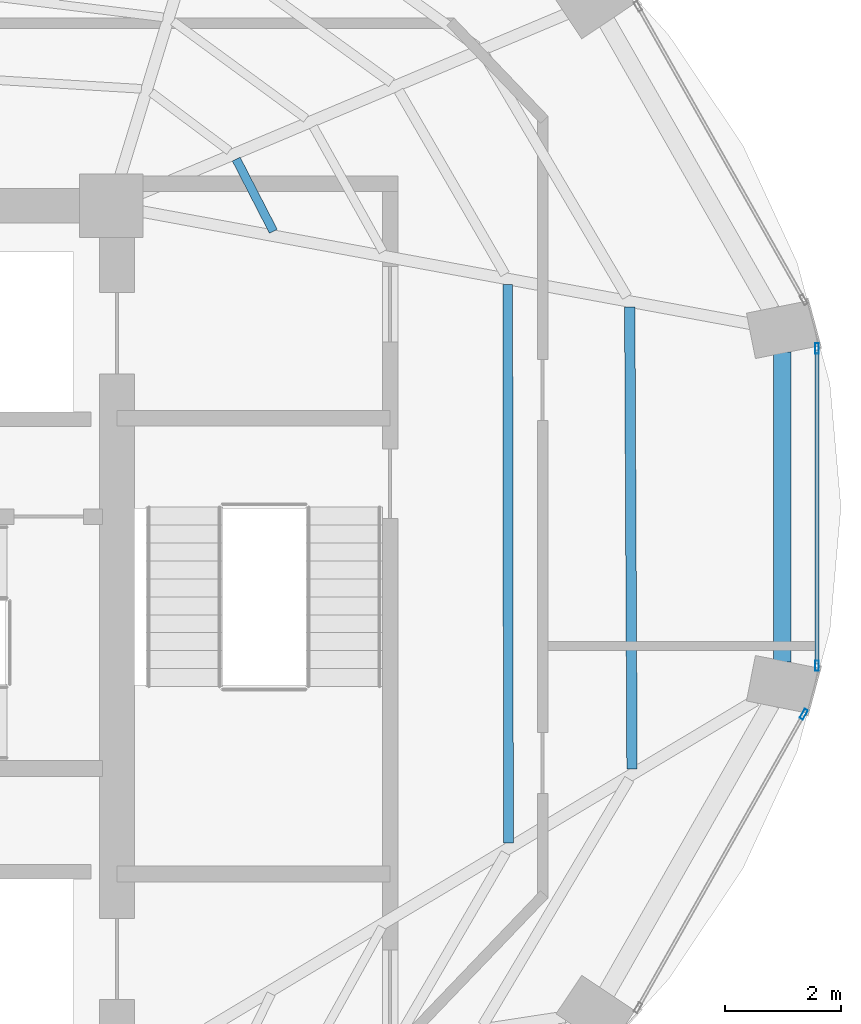
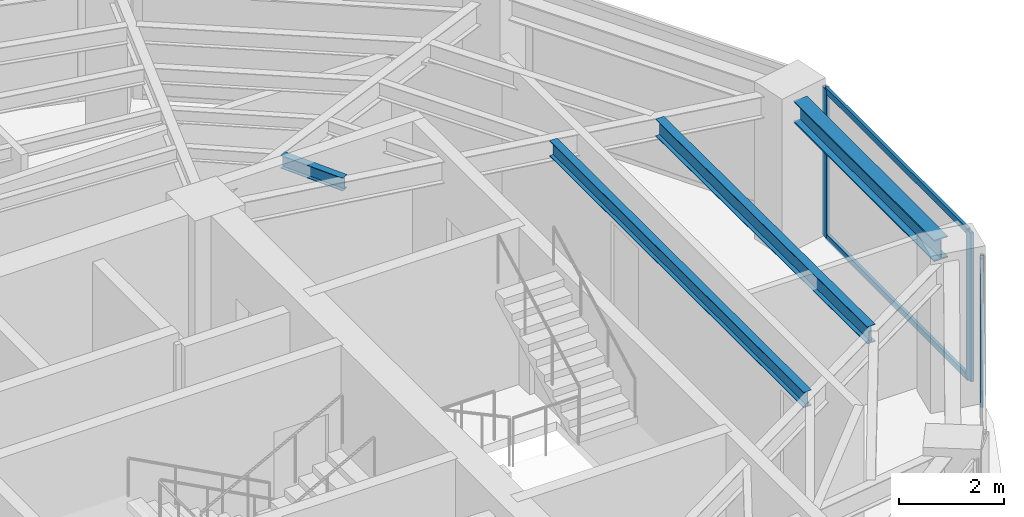
# One storey, part 14 of 23: 5 members, 4 beams, 2 elements without a shape of their own.
"""IFC4 building model written with IfcOpenShell, lengths in metres."""

from ifc_helpers import new_model, si_unit, direction, frame, origin, origin_2d, place, context, subcontext, project, spatial, hollow_rectangle, i_section, extrude, material, layer, layer_set, material_profile, profile_set, type_object, element, aggregate, save


model = new_model("IFC4")

# Units and contexts
model_context = context("Model", 3, precision=1e-05, world=origin(), true_north=direction((0.0, 1.0)))
body_context = subcontext(model_context, "Body", "Model", "MODEL_VIEW")
ifc_project = project(units=[si_unit("LENGTHUNIT", "METRE"), si_unit("AREAUNIT", "SQUARE_METRE"), si_unit("VOLUMEUNIT", "CUBIC_METRE"), si_unit("PLANEANGLEUNIT", "RADIAN"), si_unit("MASSUNIT", "GRAM", prefix="KILO")], contexts=[model_context])

# Site, building, storey
site_placement = place(None, origin())
site = spatial("IfcSite", under=ifc_project, at=site_placement, CompositionType="ELEMENT")
building_placement = place(site_placement, origin())
building = spatial("IfcBuilding", under=site, at=building_placement, Name="Lazwardi Medical Tower", CompositionType="ELEMENT")
storey_placement = place(building_placement, frame((0.0, 0.0, 209.424072265625)))
storey = spatial("IfcBuildingStorey", under=building, at=storey_placement, Name="L54", CompositionType="ELEMENT", Elevation=209.424072265625)

# Beams
ifc_material_1 = material(Name="Steel S355", Category="steel")
ifc_material_profile_1 = material_profile(ifc_material_1, i_section(OverallWidth=0.300048828125, OverallDepth=0.5, WebThickness=0.014404296875, FlangeThickness=0.028076171875, at=origin_2d()), Name="HEB 500")
ifc_profile_set_1 = profile_set([ifc_material_profile_1], Name="Steel S355")
beam_type_1 = type_object("IfcBeamType", Name="BM-RB-Z4", PredefinedType="BEAM", material=ifc_profile_set_1)
beam_1_placement = place(storey_placement, frame((57.18505859375, 27.72705078125, 3.197998046875), z_axis=(0.0, 1.0, 0.0), x_axis=(-1.0, 0.0, 0.0)))
element("IfcBeam", 1, at=beam_1_placement, inside=storey, type_object=beam_type_1, Name="Ring beam RB-05 B04 L54", PredefinedType="BEAM", context=body_context, shape_type="SweptSolid", body=[
    extrude(i_section(OverallWidth=0.300048828125, OverallDepth=0.5, WebThickness=0.014404296875, FlangeThickness=0.028076171875, at=origin_2d()), origin(), (0.0, 0.0, 1.0), 5.345947265625),
])
ifc_material_profile_2 = material_profile(ifc_material_1, i_section(OverallWidth=0.179931640625, OverallDepth=0.39990234375, WebThickness=0.008544921875, FlangeThickness=0.013427734375, at=origin_2d()), Name="IPE 400")
ifc_profile_set_2 = profile_set([ifc_material_profile_2], Name="Steel S355")
beam_type_2 = type_object("IfcBeamType", Name="BM-SJ-01", PredefinedType="JOIST", material=ifc_profile_set_2)
beam_2_placement = place(storey_placement, frame((54.592041015625, 25.879638671875, 3.248046875), z_axis=(-0.004929366644, 0.999987850598, 0.0), x_axis=(-0.999987850598, -0.004929366644, 0.0)))
element("IfcBeam", 2, at=beam_2_placement, inside=storey, type_object=beam_type_2, Name="Secondary joist SJ-01 R1 B04 L54", PredefinedType="JOIST", context=body_context, shape_type="SweptSolid", body=[
    extrude(i_section(OverallWidth=0.179931640625, OverallDepth=0.39990234375, WebThickness=0.008544921875, FlangeThickness=0.013427734375, at=origin_2d()), origin(), (0.0, 0.0, 1.0), 7.973876953125),
])
ifc_material_profile_3 = material_profile(ifc_material_1, i_section(OverallWidth=0.169921875, OverallDepth=0.360107421875, WebThickness=0.008056640625, FlangeThickness=0.0126953125, at=origin_2d()), Name="IPE 360")
ifc_profile_set_3 = profile_set([ifc_material_profile_3], Name="Steel S355")
beam_type_3 = type_object("IfcBeamType", Name="BM-SJ-02", PredefinedType="JOIST", material=ifc_profile_set_3)
beam_3_placement = place(storey_placement, frame((52.458984375, 24.602294921875, 3.267822265625), z_axis=(-0.001367606673, 0.999999064826, 0.0), x_axis=(-0.999999064826, -0.001367606673, 0.0)))
element("IfcBeam", 3, at=beam_3_placement, inside=storey, type_object=beam_type_3, Name="Secondary joist SJ-02 R2 B04 L54", PredefinedType="JOIST", context=body_context, shape_type="SweptSolid", body=[
    extrude(i_section(OverallWidth=0.169921875, OverallDepth=0.360107421875, WebThickness=0.008056640625, FlangeThickness=0.0126953125, at=origin_2d()), origin(), (0.0, 0.0, 1.0), 9.639892578125),
])
ifc_material_profile_4 = material_profile(ifc_material_1, i_section(OverallWidth=0.14990234375, OverallDepth=0.300048828125, WebThickness=0.007080078125, FlangeThickness=0.0107421875, at=origin_2d()), Name="IPE 300")
ifc_profile_set_4 = profile_set([ifc_material_profile_4], Name="Steel S355")
beam_type_4 = type_object("IfcBeamType", Name="BM-SJ-03", PredefinedType="JOIST", material=ifc_profile_set_4)
beam_4_placement = place(storey_placement, frame((48.39990234375, 35.159912109375, 3.2978515625), z_axis=(-0.457285056668, 0.889320176848, 0.0), x_axis=(-0.889320176848, -0.457285056668, 0.0)))
element("IfcBeam", 4, at=beam_4_placement, inside=storey, type_object=beam_type_4, Name="Secondary joist SJ-03 R4 B05 L54", PredefinedType="JOIST", context=body_context, shape_type="SweptSolid", body=[
    extrude(i_section(OverallWidth=0.14990234375, OverallDepth=0.300048828125, WebThickness=0.007080078125, FlangeThickness=0.0107421875, at=origin_2d()), origin(), (0.0, 0.0, 1.0), 1.402099609375),
])

# Curtain wall, member
ifc_material_2 = material(Name="Anodised bronze aluminium and solar control glazing", Category="aluminium")
ifc_layer = layer(ifc_material_2, 0.18994140625)
ifc_layer_set = layer_set([ifc_layer], Name="Anodised bronze aluminium and solar control glazing")
curtain_wall_type = type_object("IfcCurtainWallType", Name="CW-SYS-04", PredefinedType="NOTDEFINED", material=ifc_layer_set)
curtain_wall_1_placement = place(storey_placement, origin())
curtain_wall_1 = element("IfcCurtainWall", 5, at=curtain_wall_1_placement, inside=storey, type_object=curtain_wall_type, Name="L54 Unitised bronze curtain wall CW-04", PredefinedType="NOTDEFINED")
ifc_material_3 = material(Name="Anodised bronze aluminium", Category="aluminium")
ifc_material_profile_5 = material_profile(ifc_material_3, hollow_rectangle(XDim=0.06494140625, YDim=0.179931640625, WallThickness=0.00390625, at=origin_2d()), Name="ALU-MULLION 180x65x4")
ifc_profile_set_5 = profile_set([ifc_material_profile_5], Name="Anodised bronze aluminium")
member_type_1 = type_object("IfcMemberType", Name="CW-MUL-03", PredefinedType="MULLION", material=ifc_profile_set_5)
member_1_placement = place(storey_placement, frame((57.557373046875, 26.82177734375, 0.0), z_axis=(0.0, 0.0, 1.0), x_axis=(-0.870651436011, 0.491900474661, 0.0)))
member_1 = element("IfcMember", 6, at=member_1_placement, type_object=member_type_1, Name="CW-04 mullion 2", PredefinedType="MULLION", context=body_context, shape_type="SweptSolid", body=[
    extrude(hollow_rectangle(XDim=0.06494140625, YDim=0.179931640625, WallThickness=0.00390625, at=origin_2d()), origin(), (0.0, 0.0, 1.0), 3.447998046875),
])
aggregate(curtain_wall_1, [member_1])

# Curtain wall, members
curtain_wall_2_placement = place(storey_placement, origin())
curtain_wall_2 = element("IfcCurtainWall", 7, at=curtain_wall_2_placement, inside=storey, type_object=curtain_wall_type, Name="L54 Unitised bronze curtain wall CW-04", PredefinedType="NOTDEFINED")
member_2_placement = place(storey_placement, frame((57.7841796875, 27.659423828125, 0.0), z_axis=(0.0, 0.0, 1.0), x_axis=(-1.0, 0.0, 0.0)))
member_2 = element("IfcMember", 8, at=member_2_placement, type_object=member_type_1, Name="CW-04 mullion 1", PredefinedType="MULLION", context=body_context, shape_type="SweptSolid", body=[
    extrude(hollow_rectangle(XDim=0.06494140625, YDim=0.179931640625, WallThickness=0.00390625, at=origin_2d()), origin(), (0.0, 0.0, 1.0), 3.447998046875),
])
member_3_placement = place(storey_placement, frame((57.7841796875, 33.140380859375, 0.0), z_axis=(0.0, 0.0, 1.0), x_axis=(-1.0, 0.0, 0.0)))
member_3 = element("IfcMember", 9, at=member_3_placement, type_object=member_type_1, Name="CW-04 mullion 2", PredefinedType="MULLION", context=body_context, shape_type="SweptSolid", body=[
    extrude(hollow_rectangle(XDim=0.06494140625, YDim=0.179931640625, WallThickness=0.00390625, at=origin_2d()), origin(), (0.0, 0.0, 1.0), 3.447998046875),
])
ifc_material_profile_6 = material_profile(ifc_material_3, hollow_rectangle(XDim=0.06494140625, YDim=0.139892578125, WallThickness=0.00341796875, at=origin_2d()), Name="ALU-TRANSOM 140x65x3.5")
ifc_profile_set_6 = profile_set([ifc_material_profile_6], Name="Anodised bronze aluminium")
member_type_2 = type_object("IfcMemberType", Name="CW-TRN-03", PredefinedType="USERDEFINED", material=ifc_profile_set_6)
member_4_placement = place(storey_placement, frame((57.7841796875, 27.69189453125, 0.032470703125), z_axis=(0.0, 1.0, 0.0), x_axis=(-1.0, 0.0, 0.0)))
member_4 = element("IfcMember", 10, at=member_4_placement, type_object=member_type_2, Name="CW-04 transom 1.1", ObjectType="TRANSOM", PredefinedType="USERDEFINED", context=body_context, shape_type="SweptSolid", body=[
    extrude(hollow_rectangle(XDim=0.06494140625, YDim=0.139892578125, WallThickness=0.00341796875, at=origin_2d()), origin(), (0.0, 0.0, 1.0), 5.416015625),
])
member_5_placement = place(storey_placement, frame((57.7841796875, 27.69189453125, 3.41552734375), z_axis=(0.0, 1.0, 0.0), x_axis=(-1.0, 0.0, 0.0)))
member_5 = element("IfcMember", 11, at=member_5_placement, type_object=member_type_2, Name="CW-04 transom 1.2", ObjectType="TRANSOM", PredefinedType="USERDEFINED", context=body_context, shape_type="SweptSolid", body=[
    extrude(hollow_rectangle(XDim=0.06494140625, YDim=0.139892578125, WallThickness=0.00341796875, at=origin_2d()), origin(), (0.0, 0.0, 1.0), 5.416015625),
])
aggregate(curtain_wall_2, [member_2, member_3, member_4, member_5])

save(model, "model.ifc")
